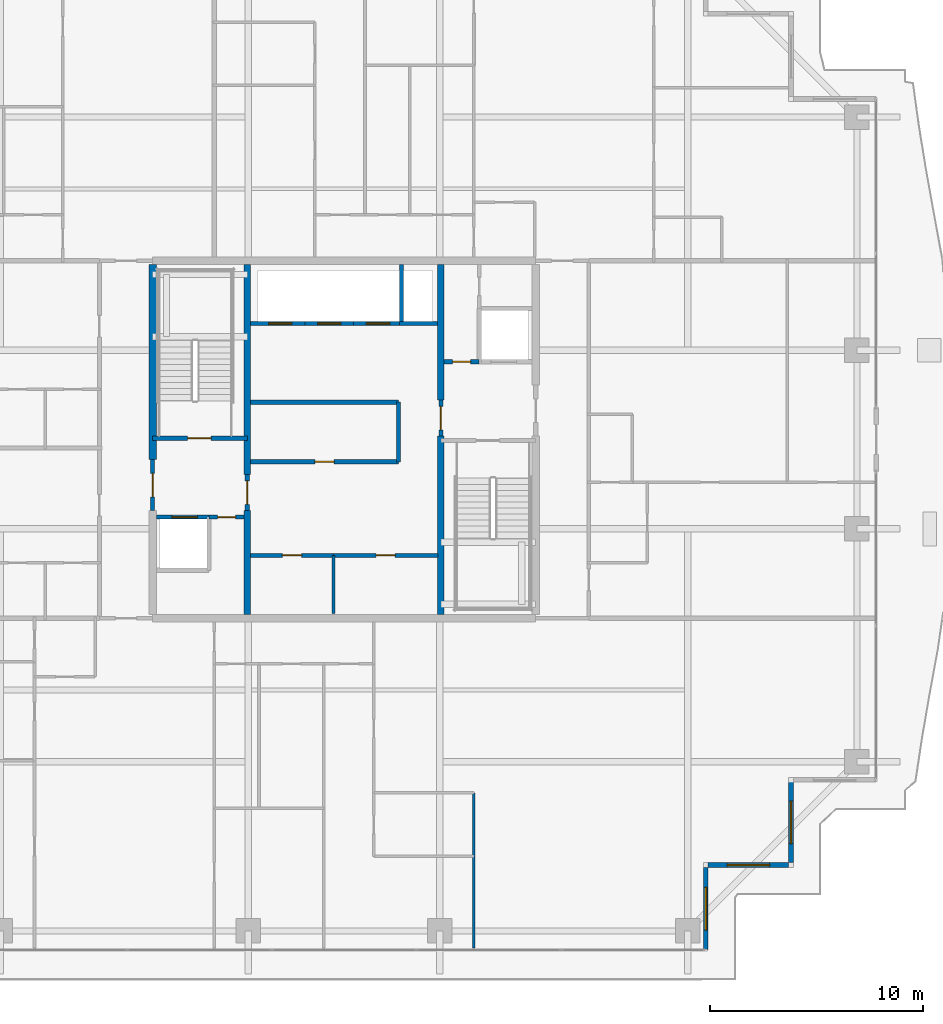
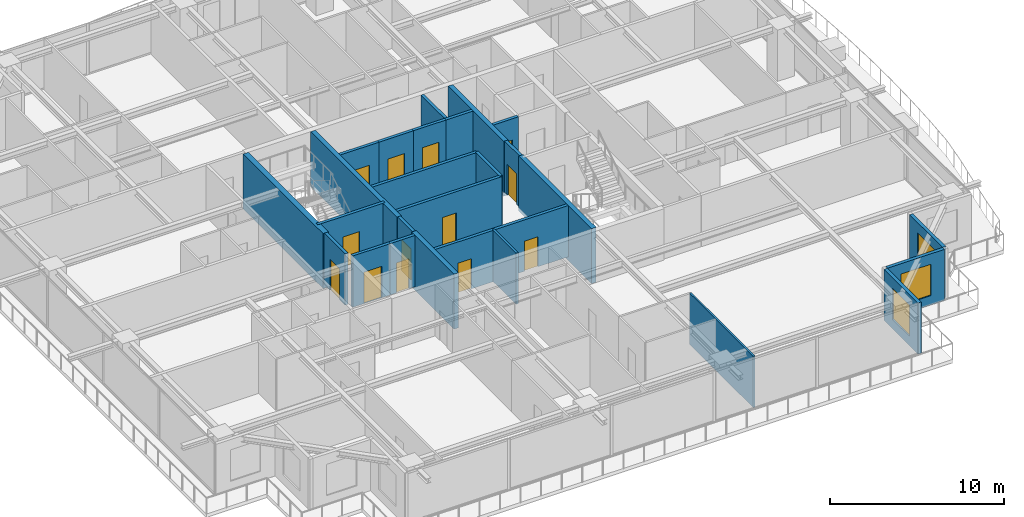
# One storey, part 27 of 37: 27 walls, 13 doors, 3 windows, 16 openings.
"""IFC4 building model written with IfcOpenShell, lengths in metres."""

import ifcopenshell
import ifcopenshell.guid

model = None  # the IFC model being written
_history = None  # IfcOwnerHistory: only IFC2X3 demands one
_inside = {}  # id of a spatial element -> (the spatial element, [elements in it])
_under = {}  # id of a project, library or spatial element -> (it, [spatial elements below it])
_declared = {}  # id of a project -> (the project, [libraries it declares])
_typed = {}  # id of a type object -> (the type object, [elements of that type])
_made_of = {}  # id of a material, layer set ... -> (it, [elements and type objects made of it])


def new_model(schema):
    """Start an empty IFC model of exactly this schema.

    Asked for "IFC4X3", IfcOpenShell would pick the latest addendum, in which some entities
    have other attributes; the version numbers below select the first issue.
    IFC2X3 requires an IfcOwnerHistory on every rooted entity: one is made here for all.
    """
    global model, _history
    if schema == "IFC4X3":
        model = ifcopenshell.file(schema_version=(4, 3, 0, 0))
    else:
        model = ifcopenshell.file(schema=schema)
    _inside.clear()
    _under.clear()
    _declared.clear()
    _typed.clear()
    _made_of.clear()
    _history = None
    if model.schema == "IFC2X3":
        org = make("IfcOrganization", Name="unknown")
        user = make(
            "IfcPersonAndOrganization",
            ThePerson=make("IfcPerson", FamilyName="unknown"),
            TheOrganization=org,
        )
        app = make(
            "IfcApplication",
            ApplicationDeveloper=org,
            Version="unknown",
            ApplicationFullName="unknown",
            ApplicationIdentifier="unknown",
        )
        _history = make(
            "IfcOwnerHistory",
            OwningUser=user,
            OwningApplication=app,
            ChangeAction="ADDED",
            CreationDate=0,
        )
    return model


def make(cls, **values):
    """One entity of the class cls with the attributes given. An attribute that is None is left unset."""
    return model.create_entity(
        cls, **{name: value for name, value in values.items() if value is not None}
    )


def rooted(cls, **values):
    """An entity with a GlobalId (a new one), such as an element, a storey or a relation."""
    return make(cls, GlobalId=ifcopenshell.guid.new(), OwnerHistory=_history, **values)


def si_unit(unit_type, name, prefix=None):
    """IfcSIUnit, for example si_unit("LENGTHUNIT", "METRE", prefix="MILLI")."""
    return make("IfcSIUnit", UnitType=unit_type, Prefix=prefix, Name=name)


def assignment(units):
    """IfcUnitAssignment: the units of a project."""
    return None if units is None else make("IfcUnitAssignment", Units=units)


def point(xyz):
    """IfcCartesianPoint."""
    return None if xyz is None else make("IfcCartesianPoint", Coordinates=xyz)


def direction(xyz):
    """IfcDirection."""
    return None if xyz is None else make("IfcDirection", DirectionRatios=xyz)


def frame(location, z_axis=None, x_axis=None):
    """IfcAxis2Placement3D, a coordinate frame: its origin and axes. An axis left out is left unset."""
    return make(
        "IfcAxis2Placement3D",
        Location=point(location),
        Axis=direction(z_axis),
        RefDirection=direction(x_axis),
    )


def frame_2d(location, x_axis=None):
    """IfcAxis2Placement2D, a coordinate frame in the plane: its origin and x axis."""
    return make(
        "IfcAxis2Placement2D", Location=point(location), RefDirection=direction(x_axis)
    )


def origin():
    """The frame at (0, 0, 0) with its axes left unset."""
    return frame((0.0, 0.0, 0.0))


def place(relative_to, where):
    """IfcLocalPlacement: puts the frame where relative to a parent placement (None: the world)."""
    return make(
        "IfcLocalPlacement", PlacementRelTo=relative_to, RelativePlacement=where
    )


def context(
    kind, dimensions, precision=None, world=None, true_north=None, identifier=None
):
    """IfcGeometricRepresentationContext, for example the 3D "Model" context."""
    return make(
        "IfcGeometricRepresentationContext",
        ContextIdentifier=identifier,
        ContextType=kind,
        CoordinateSpaceDimension=dimensions,
        Precision=precision,
        WorldCoordinateSystem=world,
        TrueNorth=true_north,
    )


def subcontext(parent, identifier, kind, view, scale=None):
    """IfcGeometricRepresentationSubContext, for example "Body" below "Model"."""
    return make(
        "IfcGeometricRepresentationSubContext",
        ContextIdentifier=identifier,
        ContextType=kind,
        ParentContext=parent,
        TargetScale=scale,
        TargetView=view,
    )


def project(units=None, contexts=None):
    """IfcProject with its units and contexts."""
    return rooted(
        "IfcProject",
        Name="project",
        RepresentationContexts=contexts,
        UnitsInContext=assignment(units),
    )


def spatial(cls, under=None, at=None, **own):
    """A site, building, storey or space (cls), placed at a placement, below another one or the project."""
    s = rooted(cls, ObjectPlacement=at, **own)
    if under is not None:
        _under.setdefault(under.id(), (under, []))[1].append(s)
    return s


def profile(cls, at=None, kind="AREA", **sizes):
    """A parametric profile (cls). Its sizes go by their IFC names, for example OverallWidth=200.0."""
    return make(cls, ProfileType=kind, Position=at, **sizes)


def rectangle(**sizes):
    """IfcRectangleProfileDef."""
    return profile("IfcRectangleProfileDef", **sizes)


def extrude(swept, where, along, depth):
    """IfcExtrudedAreaSolid: the profile swept, set in the frame where, extruded along a direction by depth."""
    return make(
        "IfcExtrudedAreaSolid",
        SweptArea=swept,
        Position=where,
        ExtrudedDirection=direction(along),
        Depth=depth,
    )


def shape(context_of_items, identifier, shape_type, items):
    """IfcShapeRepresentation: the items that make up one representation, for example the "Body"."""
    return make(
        "IfcShapeRepresentation",
        ContextOfItems=context_of_items,
        RepresentationIdentifier=identifier,
        RepresentationType=shape_type,
        Items=items,
    )


def source(mapping_origin, context_of_items, identifier, shape_type, items):
    """IfcRepresentationMap: a shape defined once, which mapped items show again and again."""
    return make(
        "IfcRepresentationMap",
        MappingOrigin=mapping_origin,
        MappedRepresentation=shape(context_of_items, identifier, shape_type, items),
    )


def transform(
    local_origin,
    x_axis=None,
    y_axis=None,
    z_axis=None,
    scale=None,
    scale2=None,
    scale3=None,
    uniform=True,
):
    """IfcCartesianTransformationOperator3D, or its non-uniform kind. x_axis, y_axis, z_axis: its Axis1, 2, 3."""
    if uniform:
        return make(
            "IfcCartesianTransformationOperator3D",
            Axis1=direction(x_axis),
            Axis2=direction(y_axis),
            LocalOrigin=point(local_origin),
            Scale=scale,
            Axis3=direction(z_axis),
        )
    return make(
        "IfcCartesianTransformationOperator3DnonUniform",
        Axis1=direction(x_axis),
        Axis2=direction(y_axis),
        LocalOrigin=point(local_origin),
        Scale=scale,
        Axis3=direction(z_axis),
        Scale2=scale2,
        Scale3=scale3,
    )


def mapped(mapping_source, mapping_target):
    """IfcMappedItem: shows the shape of a source again, moved by a transform."""
    return make(
        "IfcMappedItem", MappingSource=mapping_source, MappingTarget=mapping_target
    )


def material(Name=None, Category=None):
    """IfcMaterial."""
    return make("IfcMaterial", Name=Name, Category=Category)


def layer(
    of_material, thickness, ventilated=None, Name=None, Category=None, Priority=None
):
    """IfcMaterialLayer: one layer of a wall or slab, of a material (None: an air gap)."""
    return make(
        "IfcMaterialLayer",
        Material=of_material,
        LayerThickness=thickness,
        IsVentilated=ventilated,
        Name=Name,
        Category=Category,
        Priority=Priority,
    )


def layer_set(layers, Name=None):
    """IfcMaterialLayerSet."""
    return make("IfcMaterialLayerSet", MaterialLayers=layers, LayerSetName=Name)


def made_of(thing, what):
    """Note that an element or type object is made of a material, layer set ...; save() writes the relation."""
    if what is not None:
        _made_of.setdefault(what.id(), (what, []))[1].append(thing)
    return thing


def type_object(cls, material=None, **own):
    """A type object (cls), such as IfcWallType, which elements share."""
    return made_of(rooted(cls, **own), material)


def element(
    cls,
    number,
    at=None,
    inside=None,
    cuts=None,
    type_object=None,
    material=None,
    context=None,
    identifier="Body",
    shape_type=None,
    held_by="IfcProductDefinitionShape",
    body=None,
    shapes=None,
    **own,
):
    """One element of the class cls, such as IfcWall. Its Tag is "e" and its number.

    at: its placement. inside: the storey or other place that contains it. cuts: it is an
    opening in that element (IfcRelVoidsElement). A single representation is given by context,
    identifier, shape_type and body (its items); several are given by shapes. held_by: the class
    of the entity that holds the representations. save() writes the other relations.
    """
    e = rooted(cls, Tag="e%d" % number, ObjectPlacement=at, **own)
    if body is not None:
        shapes = [shape(context, identifier, shape_type, body)]
    if shapes is not None:
        e.Representation = make(held_by, Representations=shapes)
    if inside is not None:
        _inside.setdefault(inside.id(), (inside, []))[1].append(e)
    if cuts is not None:
        rooted(
            "IfcRelVoidsElement", RelatingBuildingElement=cuts, RelatedOpeningElement=e
        )
    if type_object is not None:
        _typed.setdefault(type_object.id(), (type_object, []))[1].append(e)
    return made_of(e, material)


def fill(opening, filler):
    """IfcRelFillsElement: the door or window that sits in an opening."""
    return rooted(
        "IfcRelFillsElement",
        RelatingOpeningElement=opening,
        RelatedBuildingElement=filler,
    )


def aggregate(whole, parts):
    """IfcRelAggregates: a whole, such as a stair, and the parts it consists of."""
    return rooted("IfcRelAggregates", RelatingObject=whole, RelatedObjects=parts)


def save(model, path):
    """Write the relations noted so far, then the file.

    IfcRelAggregates (storeys below a building ...), IfcRelContainedInSpatialStructure (elements
    in a storey), IfcRelDefinesByType, IfcRelAssociatesMaterial and IfcRelDeclares: one each for
    every whole, place, type object, material and project.
    """
    for whole, parts in _under.values():
        aggregate(whole, parts)
    for where, things in _inside.values():
        rooted(
            "IfcRelContainedInSpatialStructure",
            RelatedElements=things,
            RelatingStructure=where,
        )
    for kind, things in _typed.values():
        rooted("IfcRelDefinesByType", RelatedObjects=things, RelatingType=kind)
    for what, things in _made_of.values():
        rooted("IfcRelAssociatesMaterial", RelatedObjects=things, RelatingMaterial=what)
    for by, libraries in _declared.values():
        rooted("IfcRelDeclares", RelatingContext=by, RelatedDefinitions=libraries)
    model.write(path)


model = new_model("IFC4")

# Units and contexts
model_context = context("Model", 3, precision=1e-05, world=origin(), true_north=direction((0.0, 1.0)))
body_context = subcontext(model_context, "Body", "Model", "MODEL_VIEW")
ifc_project = project(units=[si_unit("LENGTHUNIT", "METRE"), si_unit("AREAUNIT", "SQUARE_METRE"), si_unit("VOLUMEUNIT", "CUBIC_METRE"), si_unit("PLANEANGLEUNIT", "RADIAN"), si_unit("MASSUNIT", "GRAM", prefix="KILO")], contexts=[model_context])

# Site, building, storey
site_placement = place(None, origin())
site = spatial("IfcSite", under=ifc_project, at=site_placement, CompositionType="ELEMENT")
building_placement = place(site_placement, origin())
building = spatial("IfcBuilding", under=site, at=building_placement, Name="Serunith Strait Residences", CompositionType="ELEMENT")
storey_placement = place(building_placement, frame((0.0, 0.0, 248.949951171875)))
storey = spatial("IfcBuildingStorey", under=building, at=storey_placement, Name="L62", CompositionType="ELEMENT", Elevation=248.949951171875)

# Wall, opening, window
ifc_material_1 = material(Name="Pale-Champagne Aluminium Insulated Panel", Category="aluminium")
ifc_layer_1 = layer(ifc_material_1, 0.219970703125, Name="Pale-Champagne Aluminium Insulated Panel")
ifc_layer_set_1 = layer_set([ifc_layer_1], Name="Pale-Champagne Aluminium Insulated Panel")
wall_type_1 = type_object("IfcWallType", Name="EW-ALUM-220", PredefinedType="ELEMENTEDWALL", material=ifc_layer_set_1)
wall_1_placement = place(storey_placement, frame((49.39990234375, 1.199951171875, 0.0), z_axis=(0.0, 0.0, 1.0), x_axis=(0.0, 1.0, 0.0)))
wall_1 = element("IfcWall", 1, at=wall_1_placement, inside=storey, type_object=wall_type_1, Name="L62 Girih Serrated Corner Wall 02", PredefinedType="ELEMENTEDWALL", context=body_context, shape_type="SweptSolid", body=[
    extrude(rectangle(XDim=3.89013671875, YDim=0.219970703125, at=frame_2d((1.945068359375, 0.0))), origin(), (0.0, 0.0, 1.0), 3.574951171875),
])
opening_1_placement = place(wall_1_placement, frame((0.945068359375, 0.0, 0.64990234375)))
opening_1 = element("IfcOpeningElement", 2, at=opening_1_placement, cuts=wall_1, Name="Opening W-04", PredefinedType="OPENING", context=body_context, shape_type="SweptSolid", body=[
    extrude(rectangle(XDim=2.0, YDim=2.199951171875, at=frame_2d((1.0, 1.10009765625))), frame((0.0, 0.1201171875, 0.0), z_axis=(0.0, -1.0, 0.0), x_axis=(1.0, 0.0, 0.0)), (0.0, 0.0, 1.0), 0.239990234375),
])
ifc_material_2 = material(Name="Ceramic-Fritted Operable Aluminium Window Glass", Category="aluminium")
window_type = type_object("IfcWindowType", Name="WIN-C4", PartitioningType="TRIPLE_PANEL_VERTICAL", PredefinedType="WINDOW", material=ifc_material_2)
shared_shape_1 = source(origin(), body_context, "Body", "SweptSolid", [
    extrude(rectangle(XDim=2.0, YDim=2.199951171875, at=frame_2d((1.0, 1.10009765625))), frame((0.0, 0.030029296875, 0.0), z_axis=(0.0, -1.0, 0.0), x_axis=(1.0, 0.0, 0.0)), (0.0, 0.0, 1.0), 0.06005859375),
])
window_1_placement = place(opening_1_placement, origin())
window_1 = element("IfcWindow", 3, at=window_1_placement, inside=storey, type_object=window_type, Name="L62 Corner Operable Fritted Window 02", OverallHeight=2.199951171875, OverallWidth=2.0, PartitioningType="SINGLE_PANEL", PredefinedType="WINDOW", context=body_context, shape_type="MappedRepresentation", body=[
    mapped(shared_shape_1, transform((0.0, 0.0, 0.0), scale=1.0)),
])
fill(opening_1, window_1)

wall_2_placement = place(storey_placement, frame((49.510009765625, 5.199951171875, 0.0), z_axis=(0.0, 0.0, 1.0), x_axis=(1.0, 0.0, 0.0)))
wall_2 = element("IfcWall", 4, at=wall_2_placement, inside=storey, type_object=wall_type_1, Name="L62 Girih Serrated Corner Wall 03", PredefinedType="ELEMENTEDWALL", context=body_context, shape_type="SweptSolid", body=[
    extrude(rectangle(XDim=3.780029296875, YDim=0.219970703125, at=frame_2d((1.89013671875, 0.0))), origin(), (0.0, 0.0, 1.0), 3.574951171875),
])
opening_2_placement = place(wall_2_placement, frame((0.889892578125, 0.0, 0.64990234375)))
opening_2 = element("IfcOpeningElement", 5, at=opening_2_placement, cuts=wall_2, Name="Opening W-04", PredefinedType="OPENING", context=body_context, shape_type="SweptSolid", body=[
    extrude(rectangle(XDim=2.0, YDim=2.199951171875, at=frame_2d((1.0, 1.10009765625))), frame((0.0, 0.1201171875, 0.0), z_axis=(0.0, -1.0, 0.0), x_axis=(1.0, 0.0, 0.0)), (0.0, 0.0, 1.0), 0.239990234375),
])
window_2_placement = place(opening_2_placement, origin())
window_2 = element("IfcWindow", 6, at=window_2_placement, inside=storey, type_object=window_type, Name="L62 Corner Operable Fritted Window 03", OverallHeight=2.199951171875, OverallWidth=2.0, PartitioningType="SINGLE_PANEL", PredefinedType="WINDOW", context=body_context, shape_type="MappedRepresentation", body=[
    mapped(shared_shape_1, transform((0.0, 0.0, 0.0), scale=1.0)),
])
fill(opening_2, window_2)

wall_3_placement = place(storey_placement, frame((53.39990234375, 5.31005859375, 0.0), z_axis=(0.0, 0.0, 1.0), x_axis=(0.0, 1.0, 0.0)))
wall_3 = element("IfcWall", 7, at=wall_3_placement, inside=storey, type_object=wall_type_1, Name="L62 Girih Serrated Corner Wall 04", PredefinedType="ELEMENTEDWALL", context=body_context, shape_type="SweptSolid", body=[
    extrude(rectangle(XDim=3.780029296875, YDim=0.219970703125, at=frame_2d((1.89013671875, 0.0))), origin(), (0.0, 0.0, 1.0), 3.574951171875),
])
opening_3_placement = place(wall_3_placement, frame((0.889892578125, 0.0, 0.64990234375)))
opening_3 = element("IfcOpeningElement", 8, at=opening_3_placement, cuts=wall_3, Name="Opening W-04", PredefinedType="OPENING", context=body_context, shape_type="SweptSolid", body=[
    extrude(rectangle(XDim=2.0, YDim=2.199951171875, at=frame_2d((1.0, 1.10009765625))), frame((0.0, 0.1201171875, 0.0), z_axis=(0.0, -1.0, 0.0), x_axis=(1.0, 0.0, 0.0)), (0.0, 0.0, 1.0), 0.239990234375),
])
window_3_placement = place(opening_3_placement, origin())
window_3 = element("IfcWindow", 9, at=window_3_placement, inside=storey, type_object=window_type, Name="L62 Corner Operable Fritted Window 04", OverallHeight=2.199951171875, OverallWidth=2.0, PartitioningType="SINGLE_PANEL", PredefinedType="WINDOW", context=body_context, shape_type="MappedRepresentation", body=[
    mapped(shared_shape_1, transform((0.0, 0.0, 0.0), scale=1.0)),
])
fill(opening_3, window_3)

# Walls
ifc_material_3 = material(Name="Fire-rated masonry service closet wall", Category="masonry")
ifc_layer_2 = layer(ifc_material_3, 0.14990234375, Name="Fire-rated masonry service closet wall")
ifc_layer_set_2 = layer_set([ifc_layer_2], Name="Fire-rated masonry service closet wall")
wall_type_2 = type_object("IfcWallType", Name="IW-BOH-150", PredefinedType="PARTITIONING", material=ifc_layer_set_2)
wall_4_placement = place(storey_placement, frame((31.89990234375, 17.02001953125, 0.0), z_axis=(0.0, 0.0, 1.0), x_axis=(0.0, 1.0, 0.0)))
element("IfcWall", 10, at=wall_4_placement, inside=storey, type_object=wall_type_2, Name="L62 Partition Wall 014", PredefinedType="PARTITIONING", context=body_context, shape_type="SweptSolid", body=[
    extrude(rectangle(XDim=2.72998046875, YDim=0.14990234375, at=frame_2d((1.364990234375, 0.0))), origin(), (0.0, 0.0, 1.0), 3.590087890625),
])
ifc_material_4 = material(Name="Lightweight steel-stud gypsum partition", Category="steel")
ifc_layer_3 = layer(ifc_material_4, 0.1201171875, Name="Lightweight steel-stud gypsum partition")
ifc_layer_set_3 = layer_set([ifc_layer_3], Name="Lightweight steel-stud gypsum partition")
wall_type_3 = type_object("IfcWallType", Name="IW-PART-120", PredefinedType="PARTITIONING", material=ifc_layer_set_3)
wall_5_placement = place(storey_placement, frame((38.5, 1.294921875, 0.0), z_axis=(0.0, 0.0, 1.0), x_axis=(0.0, 1.0, 0.0)))
element("IfcWall", 11, at=wall_5_placement, inside=storey, type_object=wall_type_3, Name="L62 Partition Wall 048", PredefinedType="PARTITIONING", context=body_context, shape_type="SweptSolid", body=[
    extrude(rectangle(XDim=7.29296875, YDim=0.1201171875, at=frame_2d((3.646484375, 0.0))), origin(), (0.0, 0.0, 1.0), 3.590087890625),
])

# Wall, opening, door
ifc_material_5 = material(Name="Autoclaved aerated concrete blockwork", Category="masonry")
ifc_layer_4 = layer(ifc_material_5, 0.199951171875, Name="Autoclaved aerated concrete blockwork")
ifc_layer_set_4 = layer_set([ifc_layer_4], Name="Autoclaved aerated concrete blockwork")
wall_type_4 = type_object("IfcWallType", Name="IW-SHAFT-200", PredefinedType="STANDARD", material=ifc_layer_set_4)
wall_6_placement = place(storey_placement, frame((23.39990234375, 25.25, 0.0), z_axis=(0.0, 0.0, 1.0), x_axis=(1.0, 0.0, 0.0)))
wall_6 = element("IfcWall", 12, at=wall_6_placement, inside=storey, type_object=wall_type_4, Name="L62 ST-1 South Shaft Wall", PredefinedType="STANDARD", context=body_context, shape_type="SweptSolid", body=[
    extrude(rectangle(XDim=4.4501953125, YDim=0.199951171875, at=frame_2d((2.22509765625, 0.0))), origin(), (0.0, 0.0, 1.0), 3.590087890625),
])
opening_4_placement = place(wall_6_placement, frame((1.64990234375, 0.0, 0.0)))
opening_4 = element("IfcOpeningElement", 13, at=opening_4_placement, cuts=wall_6, Name="Opening FD-1100", PredefinedType="OPENING", context=body_context, shape_type="SweptSolid", body=[
    extrude(rectangle(XDim=1.10009765625, YDim=2.14990234375, at=frame_2d((0.550048828125, 1.074951171875))), frame((0.0, 0.10986328125, 0.0), z_axis=(0.0, -1.0, 0.0), x_axis=(1.0, 0.0, 0.0)), (0.0, 0.0, 1.0), 0.219970703125),
])
ifc_material_6 = material(Name="Galvanised steel fire door leaf", Category="steel")
door_type_1 = type_object("IfcDoorType", Name="FD-STAIR-1100", OperationType="NOTDEFINED", PredefinedType="DOOR", material=ifc_material_6)
shared_shape_2 = source(origin(), body_context, "Body", "SweptSolid", [
    extrude(rectangle(XDim=1.10009765625, YDim=2.14990234375, at=frame_2d((0.550048828125, 1.074951171875))), frame((0.0, 0.02490234375, 0.0), z_axis=(0.0, -1.0, 0.0), x_axis=(1.0, 0.0, 0.0)), (0.0, 0.0, 1.0), 0.050048828125),
])
door_1_placement = place(opening_4_placement, origin())
door_1 = element("IfcDoor", 14, at=door_1_placement, inside=storey, type_object=door_type_1, Name="L62 ST-1 Escape Stair Door", OperationType="SINGLE_SWING_RIGHT", OverallHeight=2.14990234375, OverallWidth=1.10009765625, PredefinedType="DOOR", context=body_context, shape_type="MappedRepresentation", body=[
    mapped(shared_shape_2, transform((0.0, 0.0, 0.0), scale=1.0)),
])
fill(opening_4, door_1)

wall_7_placement = place(storey_placement, frame((23.574951171875, 21.550048828125, 0.0), z_axis=(0.0, 0.0, 1.0), x_axis=(1.0, 0.0, 0.0)))
wall_7 = element("IfcWall", 15, at=wall_7_placement, inside=storey, type_object=wall_type_4, Name="L62 FL-1 North Shaft Wall", PredefinedType="STANDARD", context=body_context, shape_type="SweptSolid", body=[
    extrude(rectangle(XDim=2.47509765625, YDim=0.199951171875, at=frame_2d((1.237548828125, 0.0))), origin(), (0.0, 0.0, 1.0), 3.590087890625),
])
opening_5_placement = place(wall_7_placement, frame((0.72509765625, 0.0, 0.0)))
opening_5 = element("IfcOpeningElement", 16, at=opening_5_placement, cuts=wall_7, Name="Opening LD-FF1200", PredefinedType="OPENING", context=body_context, shape_type="SweptSolid", body=[
    extrude(rectangle(XDim=1.199951171875, YDim=2.199951171875, at=frame_2d((0.60009765625, 1.10009765625))), frame((0.0, 0.10986328125, 0.0), z_axis=(0.0, -1.0, 0.0), x_axis=(1.0, 0.0, 0.0)), (0.0, 0.0, 1.0), 0.219970703125),
])
ifc_material_7 = material(Name="Brushed stainless steel landing door", Category="steel")
door_type_2 = type_object("IfcDoorType", Name="LD-FF-1200", OperationType="DOUBLE_DOOR_SLIDING", PredefinedType="DOOR", material=ifc_material_7)
shared_shape_3 = source(origin(), body_context, "Body", "SweptSolid", [
    extrude(rectangle(XDim=1.199951171875, YDim=2.199951171875, at=frame_2d((0.60009765625, 1.10009765625))), frame((0.0, 0.02490234375, 0.0), z_axis=(0.0, -1.0, 0.0), x_axis=(1.0, 0.0, 0.0)), (0.0, 0.0, 1.0), 0.050048828125),
])
door_2_placement = place(opening_5_placement, origin())
door_2 = element("IfcDoor", 17, at=door_2_placement, inside=storey, type_object=door_type_2, Name="L62 FL-1 Landing Door", OperationType="DOUBLE_DOOR_SLIDING", OverallHeight=2.199951171875, OverallWidth=1.199951171875, PredefinedType="DOOR", context=body_context, shape_type="MappedRepresentation", body=[
    mapped(shared_shape_3, transform((0.0, 0.0, 0.0), scale=1.0)),
])
fill(opening_5, door_2)

wall_8_placement = place(storey_placement, frame((28.0, 30.64990234375, 0.0), z_axis=(0.0, 0.0, 1.0), x_axis=(1.0, 0.0, 0.0)))
wall_8 = element("IfcWall", 18, at=wall_8_placement, inside=storey, type_object=wall_type_4, Name="L62 PL-7 South Shaft Wall", PredefinedType="STANDARD", context=body_context, shape_type="SweptSolid", body=[
    extrude(rectangle(XDim=2.550048828125, YDim=0.199951171875, at=frame_2d((1.27490234375, 0.0))), origin(), (0.0, 0.0, 1.0), 3.590087890625),
])
opening_6_placement = place(wall_8_placement, frame((0.85009765625, 0.0, 0.0)))
opening_6 = element("IfcOpeningElement", 19, at=opening_6_placement, cuts=wall_8, Name="Opening LD-1100", PredefinedType="OPENING", context=body_context, shape_type="SweptSolid", body=[
    extrude(rectangle(XDim=1.10009765625, YDim=2.199951171875, at=frame_2d((0.550048828125, 1.10009765625))), frame((0.0, 0.10986328125, 0.0), z_axis=(0.0, -1.0, 0.0), x_axis=(1.0, 0.0, 0.0)), (0.0, 0.0, 1.0), 0.219970703125),
])
ifc_material_8 = material(Name="Pale-champagne stainless landing door")
door_type_3 = type_object("IfcDoorType", Name="LD-LIFT-1100", OperationType="DOUBLE_DOOR_SLIDING", PredefinedType="DOOR", material=ifc_material_8)
shared_shape_4 = source(origin(), body_context, "Body", "SweptSolid", [
    extrude(rectangle(XDim=1.10009765625, YDim=2.199951171875, at=frame_2d((0.550048828125, 1.10009765625))), frame((0.0, 0.02490234375, 0.0), z_axis=(0.0, -1.0, 0.0), x_axis=(1.0, 0.0, 0.0)), (0.0, 0.0, 1.0), 0.050048828125),
])
door_3_placement = place(opening_6_placement, origin())
door_3 = element("IfcDoor", 20, at=door_3_placement, inside=storey, type_object=door_type_3, Name="L62 PL-7 Landing Door", OperationType="DOUBLE_DOOR_SLIDING", OverallHeight=2.199951171875, OverallWidth=1.10009765625, PredefinedType="DOOR", context=body_context, shape_type="MappedRepresentation", body=[
    mapped(shared_shape_4, transform((0.0, 0.0, 0.0), scale=1.0)),
])
fill(opening_6, door_3)

wall_9_placement = place(storey_placement, frame((30.550048828125, 30.64990234375, 0.0), z_axis=(0.0, 0.0, 1.0), x_axis=(1.0, 0.0, 0.0)))
wall_9 = element("IfcWall", 21, at=wall_9_placement, inside=storey, type_object=wall_type_4, Name="L62 PL-8 South Shaft Wall", PredefinedType="STANDARD", context=body_context, shape_type="SweptSolid", body=[
    extrude(rectangle(XDim=2.300048828125, YDim=0.199951171875, at=frame_2d((1.14990234375, 0.0))), origin(), (0.0, 0.0, 1.0), 3.590087890625),
])
opening_7_placement = place(wall_9_placement, frame((0.60009765625, 0.0, 0.0)))
opening_7 = element("IfcOpeningElement", 22, at=opening_7_placement, cuts=wall_9, Name="Opening LD-1100", PredefinedType="OPENING", context=body_context, shape_type="SweptSolid", body=[
    extrude(rectangle(XDim=1.10009765625, YDim=2.199951171875, at=frame_2d((0.550048828125, 1.10009765625))), frame((0.0, 0.10986328125, 0.0), z_axis=(0.0, -1.0, 0.0), x_axis=(1.0, 0.0, 0.0)), (0.0, 0.0, 1.0), 0.219970703125),
])
door_4_placement = place(opening_7_placement, origin())
door_4 = element("IfcDoor", 23, at=door_4_placement, inside=storey, type_object=door_type_3, Name="L62 PL-8 Landing Door", OperationType="DOUBLE_DOOR_SLIDING", OverallHeight=2.199951171875, OverallWidth=1.10009765625, PredefinedType="DOOR", context=body_context, shape_type="MappedRepresentation", body=[
    mapped(shared_shape_4, transform((0.0, 0.0, 0.0), scale=1.0)),
])
fill(opening_7, door_4)

wall_10_placement = place(storey_placement, frame((32.85009765625, 30.64990234375, 0.0), z_axis=(0.0, 0.0, 1.0), x_axis=(1.0, 0.0, 0.0)))
wall_10 = element("IfcWall", 24, at=wall_10_placement, inside=storey, type_object=wall_type_4, Name="L62 PL-9 South Shaft Wall", PredefinedType="STANDARD", context=body_context, shape_type="SweptSolid", body=[
    extrude(rectangle(XDim=2.14990234375, YDim=0.199951171875, at=frame_2d((1.074951171875, 0.0))), origin(), (0.0, 0.0, 1.0), 3.590087890625),
])
opening_8_placement = place(wall_10_placement, frame((0.60009765625, 0.0, 0.0)))
opening_8 = element("IfcOpeningElement", 25, at=opening_8_placement, cuts=wall_10, Name="Opening LD-1100", PredefinedType="OPENING", context=body_context, shape_type="SweptSolid", body=[
    extrude(rectangle(XDim=1.10009765625, YDim=2.199951171875, at=frame_2d((0.550048828125, 1.10009765625))), frame((0.0, 0.10986328125, 0.0), z_axis=(0.0, -1.0, 0.0), x_axis=(1.0, 0.0, 0.0)), (0.0, 0.0, 1.0), 0.219970703125),
])
door_5_placement = place(opening_8_placement, origin())
door_5 = element("IfcDoor", 26, at=door_5_placement, inside=storey, type_object=door_type_3, Name="L62 PL-9 Landing Door", OperationType="DOUBLE_DOOR_SLIDING", OverallHeight=2.199951171875, OverallWidth=1.10009765625, PredefinedType="DOOR", context=body_context, shape_type="MappedRepresentation", body=[
    mapped(shared_shape_4, transform((0.0, 0.0, 0.0), scale=1.0)),
])
fill(opening_8, door_5)

# Walls
wall_11_placement = place(storey_placement, frame((35.0, 30.64990234375, 0.0), z_axis=(0.0, 0.0, 1.0), x_axis=(1.0, 0.0, 0.0)))
element("IfcWall", 27, at=wall_11_placement, inside=storey, type_object=wall_type_4, Name="L62 SL-1 South Shaft Wall", PredefinedType="STANDARD", context=body_context, shape_type="SweptSolid", body=[
    extrude(rectangle(XDim=1.800048828125, YDim=0.199951171875, at=frame_2d((0.89990234375, 0.0))), origin(), (0.0, 0.0, 1.0), 3.590087890625),
])
wall_12_placement = place(storey_placement, frame((35.10009765625, 30.75, 0.0), z_axis=(0.0, 0.0, 1.0), x_axis=(0.0, 1.0, 0.0)))
element("IfcWall", 28, at=wall_12_placement, inside=storey, type_object=wall_type_4, Name="L62 SL-1 West Shaft Wall", PredefinedType="STANDARD", context=body_context, shape_type="SweptSolid", body=[
    extrude(rectangle(XDim=2.675048828125, YDim=0.199951171875, at=frame_2d((1.33740234375, 0.0))), origin(), (0.0, 0.0, 1.0), 3.590087890625),
])

# Wall, opening, door
wall_13_placement = place(storey_placement, frame((26.052001953125, 21.550048828125, 0.0), z_axis=(0.0, 0.0, 1.0), x_axis=(1.0, 0.0, 0.0)))
wall_13 = element("IfcWall", 29, at=wall_13_placement, inside=storey, type_object=wall_type_4, Name="L62 Partition Wall 003", PredefinedType="STANDARD", context=body_context, shape_type="SweptSolid", body=[
    extrude(rectangle(XDim=1.64794921875, YDim=0.199951171875, at=frame_2d((0.823974609375, 0.0))), origin(), (0.0, 0.0, 1.0), 3.590087890625),
])
opening_9_placement = place(wall_13_placement, frame((0.39892578125, 0.0, 0.0)))
opening_9 = element("IfcOpeningElement", 30, at=opening_9_placement, cuts=wall_13, Name="Opening FD-850", PredefinedType="OPENING", context=body_context, shape_type="SweptSolid", body=[
    extrude(rectangle(XDim=0.85009765625, YDim=2.10009765625, at=frame_2d((0.425048828125, 1.050048828125))), frame((0.0, 0.10986328125, 0.0), z_axis=(0.0, -1.0, 0.0), x_axis=(1.0, 0.0, 0.0)), (0.0, 0.0, 1.0), 0.219970703125),
])
ifc_material_9 = material(Name="Powder-coated steel service closet door", Category="steel")
door_type_4 = type_object("IfcDoorType", Name="FD-BOH-850", OperationType="NOTDEFINED", PredefinedType="DOOR", material=ifc_material_9)
shared_shape_5 = source(origin(), body_context, "Body", "SweptSolid", [
    extrude(rectangle(XDim=0.85009765625, YDim=2.10009765625, at=frame_2d((0.425048828125, 1.050048828125))), frame((0.0, 0.02490234375, 0.0), z_axis=(0.0, -1.0, 0.0), x_axis=(1.0, 0.0, 0.0)), (0.0, 0.0, 1.0), 0.050048828125),
])
door_6_placement = place(opening_9_placement, origin())
door_6 = element("IfcDoor", 31, at=door_6_placement, inside=storey, type_object=door_type_4, Name="L62 South-West Core Service Door", OperationType="SINGLE_SWING_LEFT", OverallHeight=2.10009765625, OverallWidth=0.85009765625, PredefinedType="DOOR", context=body_context, shape_type="MappedRepresentation", body=[
    mapped(shared_shape_5, transform((0.0, 0.0, 0.0), scale=1.0)),
])
fill(opening_9, door_6)

wall_14_placement = place(storey_placement, frame((37.10009765625, 28.85009765625, 0.0), z_axis=(0.0, 0.0, 1.0), x_axis=(1.0, 0.0, 0.0)))
wall_14 = element("IfcWall", 32, at=wall_14_placement, inside=storey, type_object=wall_type_4, Name="L62 Partition Wall 006", PredefinedType="STANDARD", context=body_context, shape_type="SweptSolid", body=[
    extrude(rectangle(XDim=1.64794921875, YDim=0.199951171875, at=frame_2d((0.823974609375, 0.0))), origin(), (0.0, 0.0, 1.0), 3.590087890625),
])
opening_10_placement = place(wall_14_placement, frame((0.39892578125, 0.0, 0.0)))
opening_10 = element("IfcOpeningElement", 33, at=opening_10_placement, cuts=wall_14, Name="Opening FD-850", PredefinedType="OPENING", context=body_context, shape_type="SweptSolid", body=[
    extrude(rectangle(XDim=0.85009765625, YDim=2.10009765625, at=frame_2d((0.425048828125, 1.050048828125))), frame((0.0, 0.10986328125, 0.0), z_axis=(0.0, -1.0, 0.0), x_axis=(1.0, 0.0, 0.0)), (0.0, 0.0, 1.0), 0.219970703125),
])
door_7_placement = place(opening_10_placement, origin())
door_7 = element("IfcDoor", 34, at=door_7_placement, inside=storey, type_object=door_type_4, Name="L62 North-East Core Service Door", OperationType="SINGLE_SWING_RIGHT", OverallHeight=2.10009765625, OverallWidth=0.85009765625, PredefinedType="DOOR", context=body_context, shape_type="MappedRepresentation", body=[
    mapped(shared_shape_5, transform((0.0, 0.0, 0.0), scale=1.0)),
])
fill(opening_10, door_7)

wall_15_placement = place(storey_placement, frame((23.39990234375, 21.85205078125, 0.0), z_axis=(0.0, 0.0, 1.0), x_axis=(0.0, 1.0, 0.0)))
wall_15 = element("IfcWall", 35, at=wall_15_placement, inside=storey, type_object=wall_type_4, Name="L62 Partition Wall 007", PredefinedType="STANDARD", context=body_context, shape_type="SweptSolid", body=[
    extrude(rectangle(XDim=2.39599609375, YDim=0.199951171875, at=frame_2d((1.197998046875, 0.0))), origin(), (0.0, 0.0, 1.0), 3.590087890625),
])
opening_11_placement = place(wall_15_placement, frame((0.64794921875, 0.0, 0.0)))
opening_11 = element("IfcOpeningElement", 36, at=opening_11_placement, cuts=wall_15, Name="Opening FD-FFL", PredefinedType="OPENING", context=body_context, shape_type="SweptSolid", body=[
    extrude(rectangle(XDim=1.10009765625, YDim=2.14990234375, at=frame_2d((0.550048828125, 1.074951171875))), frame((0.0, 0.10986328125, 0.0), z_axis=(0.0, -1.0, 0.0), x_axis=(1.0, 0.0, 0.0)), (0.0, 0.0, 1.0), 0.219970703125),
])
ifc_material_10 = material(Name="Glazed steel smoke-lobby fire door", Category="steel")
door_type_5 = type_object("IfcDoorType", Name="FD-FFL-1100", OperationType="NOTDEFINED", PredefinedType="DOOR", material=ifc_material_10)
door_8_placement = place(opening_11_placement, origin())
door_8 = element("IfcDoor", 37, at=door_8_placement, inside=storey, type_object=door_type_5, Name="L62 FFL-1 Corridor Fire Door", OperationType="SINGLE_SWING_LEFT", OverallHeight=2.14990234375, OverallWidth=1.10009765625, PredefinedType="DOOR", context=body_context, shape_type="MappedRepresentation", body=[
    mapped(shared_shape_2, transform((0.0, 0.0, 0.0), scale=1.0)),
])
fill(opening_11, door_8)

wall_16_placement = place(storey_placement, frame((27.85009765625, 21.85205078125, 0.0), z_axis=(0.0, 0.0, 1.0), x_axis=(0.0, 1.0, 0.0)))
wall_16 = element("IfcWall", 38, at=wall_16_placement, inside=storey, type_object=wall_type_4, Name="L62 Partition Wall 009", PredefinedType="STANDARD", context=body_context, shape_type="SweptSolid", body=[
    extrude(rectangle(XDim=1.696044921875, YDim=0.199951171875, at=frame_2d((0.84814453125, 0.0))), origin(), (0.0, 0.0, 1.0), 3.590087890625),
])
opening_12_placement = place(wall_16_placement, frame((0.298095703125, 0.0, 0.0)))
opening_12 = element("IfcOpeningElement", 39, at=opening_12_placement, cuts=wall_16, Name="Opening FD-FFL", PredefinedType="OPENING", context=body_context, shape_type="SweptSolid", body=[
    extrude(rectangle(XDim=1.10009765625, YDim=2.14990234375, at=frame_2d((0.550048828125, 1.074951171875))), frame((0.0, 0.10986328125, 0.0), z_axis=(0.0, -1.0, 0.0), x_axis=(1.0, 0.0, 0.0)), (0.0, 0.0, 1.0), 0.219970703125),
])
door_9_placement = place(opening_12_placement, origin())
door_9 = element("IfcDoor", 40, at=door_9_placement, inside=storey, type_object=door_type_5, Name="L62 FFL-1 Lift Lobby Door", OperationType="SINGLE_SWING_LEFT", OverallHeight=2.14990234375, OverallWidth=1.10009765625, PredefinedType="DOOR", context=body_context, shape_type="MappedRepresentation", body=[
    mapped(shared_shape_2, transform((0.0, 0.0, 0.0), scale=1.0)),
])
fill(opening_12, door_9)

wall_17_placement = place(storey_placement, frame((36.949951171875, 25.35205078125, 0.0), z_axis=(0.0, 0.0, 1.0), x_axis=(0.0, 1.0, 0.0)))
wall_17 = element("IfcWall", 41, at=wall_17_placement, inside=storey, type_object=wall_type_4, Name="L62 Partition Wall 010", PredefinedType="STANDARD", context=body_context, shape_type="SweptSolid", body=[
    extrude(rectangle(XDim=1.696044921875, YDim=0.199951171875, at=frame_2d((0.84814453125, 0.0))), origin(), (0.0, 0.0, 1.0), 3.590087890625),
])
opening_13_placement = place(wall_17_placement, frame((0.298095703125, 0.0, 0.0)))
opening_13 = element("IfcOpeningElement", 42, at=opening_13_placement, cuts=wall_17, Name="Opening FD-FFL", PredefinedType="OPENING", context=body_context, shape_type="SweptSolid", body=[
    extrude(rectangle(XDim=1.10009765625, YDim=2.14990234375, at=frame_2d((0.550048828125, 1.074951171875))), frame((0.0, 0.10986328125, 0.0), z_axis=(0.0, -1.0, 0.0), x_axis=(1.0, 0.0, 0.0)), (0.0, 0.0, 1.0), 0.219970703125),
])
door_10_placement = place(opening_13_placement, origin())
door_10 = element("IfcDoor", 43, at=door_10_placement, inside=storey, type_object=door_type_5, Name="L62 FFL-2 Lift Lobby Door", OperationType="SINGLE_SWING_RIGHT", OverallHeight=2.14990234375, OverallWidth=1.10009765625, PredefinedType="DOOR", context=body_context, shape_type="MappedRepresentation", body=[
    mapped(shared_shape_2, transform((0.0, 0.0, 0.0), scale=1.0)),
])
fill(opening_13, door_10)

wall_18_placement = place(storey_placement, frame((28.0, 19.75, 0.0), z_axis=(0.0, 0.0, 1.0), x_axis=(1.0, 0.0, 0.0)))
wall_18 = element("IfcWall", 44, at=wall_18_placement, inside=storey, type_object=wall_type_4, Name="L62 Partition Wall 012", PredefinedType="STANDARD", context=body_context, shape_type="SweptSolid", body=[
    extrude(rectangle(XDim=3.89990234375, YDim=0.199951171875, at=frame_2d((1.949951171875, 0.0))), origin(), (0.0, 0.0, 1.0), 3.590087890625),
])
opening_14_placement = place(wall_18_placement, frame((1.5, 0.0, 0.0)))
opening_14 = element("IfcOpeningElement", 45, at=opening_14_placement, cuts=wall_18, Name="Opening FD-900", PredefinedType="OPENING", context=body_context, shape_type="SweptSolid", body=[
    extrude(rectangle(XDim=0.89990234375, YDim=2.10009765625, at=frame_2d((0.449951171875, 1.050048828125))), frame((0.0, 0.10986328125, 0.0), z_axis=(0.0, -1.0, 0.0), x_axis=(1.0, 0.0, 0.0)), (0.0, 0.0, 1.0), 0.219970703125),
])
ifc_material_11 = material(Name="Powder-coated steel riser door", Category="steel")
door_type_6 = type_object("IfcDoorType", Name="FD-BOH-900", OperationType="NOTDEFINED", PredefinedType="DOOR", material=ifc_material_11)
shared_shape_6 = source(origin(), body_context, "Body", "SweptSolid", [
    extrude(rectangle(XDim=0.89990234375, YDim=2.10009765625, at=frame_2d((0.449951171875, 1.050048828125))), frame((0.0, 0.02490234375, 0.0), z_axis=(0.0, -1.0, 0.0), x_axis=(1.0, 0.0, 0.0)), (0.0, 0.0, 1.0), 0.050048828125),
])
door_11_placement = place(opening_14_placement, origin())
door_11 = element("IfcDoor", 46, at=door_11_placement, inside=storey, type_object=door_type_6, Name="L62 Housekeeping Store Door", OperationType="SINGLE_SWING_RIGHT", OverallHeight=2.10009765625, OverallWidth=0.89990234375, PredefinedType="DOOR", context=body_context, shape_type="MappedRepresentation", body=[
    mapped(shared_shape_6, transform((0.0, 0.0, 0.0), scale=1.0)),
])
fill(opening_14, door_11)

wall_19_placement = place(storey_placement, frame((31.902099609375, 19.75, 0.0), z_axis=(0.0, 0.0, 1.0), x_axis=(1.0, 0.0, 0.0)))
wall_19 = element("IfcWall", 47, at=wall_19_placement, inside=storey, type_object=wall_type_4, Name="L62 Partition Wall 013", PredefinedType="STANDARD", context=body_context, shape_type="SweptSolid", body=[
    extrude(rectangle(XDim=4.89794921875, YDim=0.199951171875, at=frame_2d((2.448974609375, 0.0))), origin(), (0.0, 0.0, 1.0), 3.590087890625),
])
opening_15_placement = place(wall_19_placement, frame((1.9990234375, 0.0, 0.0)))
opening_15 = element("IfcOpeningElement", 48, at=opening_15_placement, cuts=wall_19, Name="Opening FD-900", PredefinedType="OPENING", context=body_context, shape_type="SweptSolid", body=[
    extrude(rectangle(XDim=0.89990234375, YDim=2.10009765625, at=frame_2d((0.449951171875, 1.050048828125))), frame((0.0, 0.10986328125, 0.0), z_axis=(0.0, -1.0, 0.0), x_axis=(1.0, 0.0, 0.0)), (0.0, 0.0, 1.0), 0.219970703125),
])
door_12_placement = place(opening_15_placement, origin())
door_12 = element("IfcDoor", 49, at=door_12_placement, inside=storey, type_object=door_type_6, Name="L62 High-Rise Meter Door", OperationType="SINGLE_SWING_LEFT", OverallHeight=2.10009765625, OverallWidth=0.89990234375, PredefinedType="DOOR", context=body_context, shape_type="MappedRepresentation", body=[
    mapped(shared_shape_6, transform((0.0, 0.0, 0.0), scale=1.0)),
])
fill(opening_15, door_12)

# Walls
wall_20_placement = place(storey_placement, frame((28.0, 26.949951171875, 0.0), z_axis=(0.0, 0.0, 1.0), x_axis=(1.0, 0.0, 0.0)))
element("IfcWall", 50, at=wall_20_placement, inside=storey, type_object=wall_type_4, Name="L62 Partition Wall 015", PredefinedType="STANDARD", context=body_context, shape_type="SweptSolid", body=[
    extrude(rectangle(XDim=6.949951171875, YDim=0.199951171875, at=frame_2d((3.47509765625, 0.0))), origin(), (0.0, 0.0, 1.0), 3.590087890625),
])
wall_21_placement = place(storey_placement, frame((34.949951171875, 24.14990234375, 0.0), z_axis=(0.0, 0.0, 1.0), x_axis=(0.0, 1.0, 0.0)))
element("IfcWall", 51, at=wall_21_placement, inside=storey, type_object=wall_type_4, Name="L62 Partition Wall 016", PredefinedType="STANDARD", context=body_context, shape_type="SweptSolid", body=[
    extrude(rectangle(XDim=2.800048828125, YDim=0.199951171875, at=frame_2d((1.39990234375, 0.0))), origin(), (0.0, 0.0, 1.0), 3.590087890625),
])

# Wall, opening, door
wall_22_placement = place(storey_placement, frame((28.0, 24.14990234375, 0.0), z_axis=(0.0, 0.0, 1.0), x_axis=(1.0, 0.0, 0.0)))
wall_22 = element("IfcWall", 52, at=wall_22_placement, inside=storey, type_object=wall_type_4, Name="L62 Partition Wall 017", PredefinedType="STANDARD", context=body_context, shape_type="SweptSolid", body=[
    extrude(rectangle(XDim=6.949951171875, YDim=0.199951171875, at=frame_2d((3.47509765625, 0.0))), origin(), (0.0, 0.0, 1.0), 3.590087890625),
])
opening_16_placement = place(wall_22_placement, frame((3.02490234375, 0.0, 0.0)))
opening_16 = element("IfcOpeningElement", 53, at=opening_16_placement, cuts=wall_22, Name="Opening FD-900", PredefinedType="OPENING", context=body_context, shape_type="SweptSolid", body=[
    extrude(rectangle(XDim=0.89990234375, YDim=2.10009765625, at=frame_2d((0.449951171875, 1.050048828125))), frame((0.0, 0.10986328125, 0.0), z_axis=(0.0, -1.0, 0.0), x_axis=(1.0, 0.0, 0.0)), (0.0, 0.0, 1.0), 0.219970703125),
])
door_13_placement = place(opening_16_placement, origin())
door_13 = element("IfcDoor", 54, at=door_13_placement, inside=storey, type_object=door_type_6, Name="L62 Heat Exchanger Plant Door", OperationType="SINGLE_SWING_RIGHT", OverallHeight=2.10009765625, OverallWidth=0.89990234375, PredefinedType="DOOR", context=body_context, shape_type="MappedRepresentation", body=[
    mapped(shared_shape_6, transform((0.0, 0.0, 0.0), scale=1.0)),
])
fill(opening_16, door_13)

# Walls
ifc_material_12 = material(Name="Concrete C60/75", Category="concrete")
ifc_layer_5 = layer(ifc_material_12, 0.300048828125, Name="Concrete C60/75")
ifc_layer_set_5 = layer_set([ifc_layer_5], Name="Concrete C60/75")
wall_type_5 = type_object("IfcWallType", Name="SW-300-C60", PredefinedType="SHEAR", material=ifc_layer_set_5)
wall_23_placement = place(storey_placement, frame((27.85009765625, 16.97509765625, -0.260009765625), z_axis=(0.0, 0.0, 1.0), x_axis=(0.0, 1.0, 0.0)))
element("IfcWall", 55, at=wall_23_placement, inside=storey, type_object=wall_type_5, Name="L62 Core Internal West Web South Pier", PredefinedType="SHEAR", context=body_context, shape_type="SweptSolid", body=[
    extrude(rectangle(XDim=4.875, YDim=0.300048828125, at=frame_2d((2.4375, 0.0))), origin(), (0.0, 0.0, 1.0), 3.84814453125),
])
wall_24_placement = place(storey_placement, frame((27.85009765625, 23.550048828125, -0.260009765625), z_axis=(0.0, 0.0, 1.0), x_axis=(0.0, 1.0, 0.0)))
element("IfcWall", 56, at=wall_24_placement, inside=storey, type_object=wall_type_5, Name="L62 Core Internal West Web North Pier", PredefinedType="SHEAR", context=body_context, shape_type="SweptSolid", body=[
    extrude(rectangle(XDim=9.875, YDim=0.300048828125, at=frame_2d((4.9375, 0.0))), origin(), (0.0, 0.0, 1.0), 3.84814453125),
])
wall_25_placement = place(storey_placement, frame((36.949951171875, 16.97509765625, -0.260009765625), z_axis=(0.0, 0.0, 1.0), x_axis=(0.0, 1.0, 0.0)))
element("IfcWall", 57, at=wall_25_placement, inside=storey, type_object=wall_type_5, Name="L62 Core Internal East Web South Pier", PredefinedType="SHEAR", context=body_context, shape_type="SweptSolid", body=[
    extrude(rectangle(XDim=8.375, YDim=0.300048828125, at=frame_2d((4.1875, 0.0))), origin(), (0.0, 0.0, 1.0), 3.84814453125),
])
wall_26_placement = place(storey_placement, frame((36.949951171875, 27.050048828125, -0.260009765625), z_axis=(0.0, 0.0, 1.0), x_axis=(0.0, 1.0, 0.0)))
element("IfcWall", 58, at=wall_26_placement, inside=storey, type_object=wall_type_5, Name="L62 Core Internal East Web North Pier", PredefinedType="SHEAR", context=body_context, shape_type="SweptSolid", body=[
    extrude(rectangle(XDim=6.375, YDim=0.300048828125, at=frame_2d((3.1875, 0.0))), origin(), (0.0, 0.0, 1.0), 3.84814453125),
])
ifc_layer_6 = layer(ifc_material_12, 0.35009765625, Name="Concrete C60/75")
ifc_layer_set_6 = layer_set([ifc_layer_6], Name="Concrete C60/75")
wall_type_6 = type_object("IfcWallType", Name="SW-350-C60", PredefinedType="SHEAR", material=ifc_layer_set_6)
wall_27_placement = place(storey_placement, frame((23.39990234375, 24.25, -0.260009765625), z_axis=(0.0, 0.0, 1.0), x_axis=(0.0, 1.0, 0.0)))
element("IfcWall", 59, at=wall_27_placement, inside=storey, type_object=wall_type_6, Name="L62 Core West Shear Wall North Pier", PredefinedType="SHEAR", context=body_context, shape_type="SweptSolid", body=[
    extrude(rectangle(XDim=9.175048828125, YDim=0.35009765625, at=frame_2d((4.58740234375, 0.0))), origin(), (0.0, 0.0, 1.0), 3.84814453125),
])

save(model, "model.ifc")
